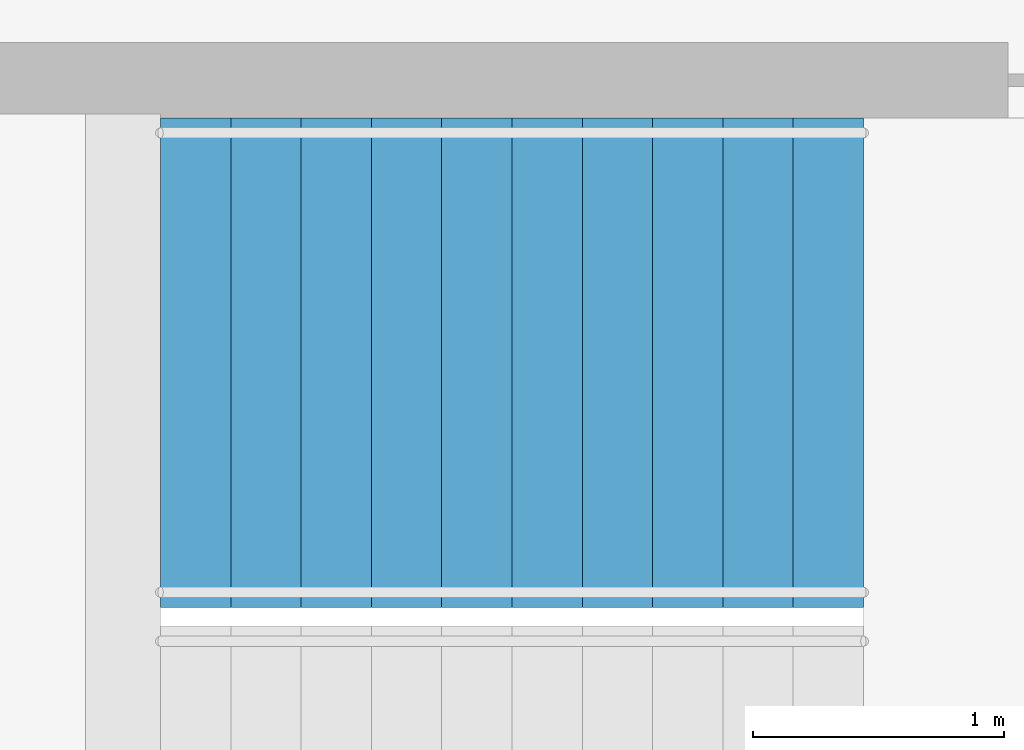
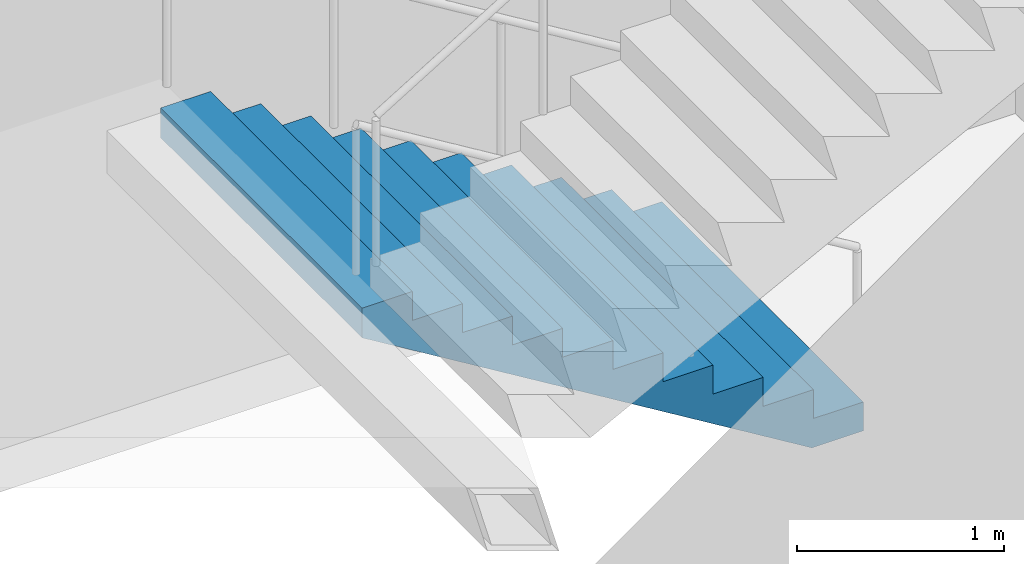
# One storey, part 20 of 21: 1 stair flight, 1 element without a shape of its own.
"""IFC4 building model written with IfcOpenShell, lengths in metres."""

from ifc_helpers import new_model, si_unit, direction, frame, origin, place, context, subcontext, project, spatial, triangles, material, type_object, element, aggregate, save


model = new_model("IFC4")

# Units and contexts
model_context = context("Model", 3, precision=1e-05, world=origin(), true_north=direction((0.0, 1.0)))
body_context = subcontext(model_context, "Body", "Model", "MODEL_VIEW")
ifc_project = project(units=[si_unit("LENGTHUNIT", "METRE"), si_unit("AREAUNIT", "SQUARE_METRE"), si_unit("VOLUMEUNIT", "CUBIC_METRE"), si_unit("PLANEANGLEUNIT", "RADIAN"), si_unit("MASSUNIT", "GRAM", prefix="KILO")], contexts=[model_context])

# Site, building, storey
site_placement = place(None, origin())
site = spatial("IfcSite", under=ifc_project, at=site_placement, CompositionType="ELEMENT")
building_placement = place(site_placement, origin())
building = spatial("IfcBuilding", under=site, at=building_placement, Name="Orbita Commons", CompositionType="ELEMENT")
storey_placement = place(building_placement, frame((0.0, 0.0, 110.64990234375)))
storey = spatial("IfcBuildingStorey", under=building, at=storey_placement, Name="L27", CompositionType="ELEMENT", Elevation=110.64990234375)

# Stair, stair flight
ifc_material_1 = material(Name="Precast concrete C40/50", Category="concrete")
stair_type = type_object("IfcStairType", Name="Exit stair S2 2 flights 11 risers 170", PredefinedType="HALF_TURN_STAIR", material=ifc_material_1)
stair_placement = place(storey_placement, origin())
stair = element("IfcStair", 1, at=stair_placement, inside=storey, type_object=stair_type, Name="Exit stair S2 L27", PredefinedType="HALF_TURN_STAIR")
ifc_material_2 = material(Name="Precast concrete C40/50", Category="concrete")
stair_flight_type = type_object("IfcStairFlightType", Name="Stair flight 11 risers 170 x 280", PredefinedType="STRAIGHT", material=ifc_material_2)
stair_flight_placement = place(storey_placement, frame((63.550048828125, 29.27490234375, 0.0), z_axis=(0.0, 0.0, 1.0), x_axis=(-1.0, 0.0, 0.0)))
stair_flight = element("IfcStairFlight", 2, at=stair_flight_placement, type_object=stair_flight_type, Name="S2 flight 1", NumberOfRisers=11, NumberOfTreads=10, PredefinedType="STRAIGHT", RiserHeight=0.170454545, TreadLength=0.28, context=body_context, shape_type="Tessellation", body=[
    triangles([(0.0, 0.974976, 0.0), (0.0, 0.974976, 0.021307), (0.0, 0.81248, 0.021307), (0.0, 0.81248, 0.0), (0.0, 0.649984, 0.021307), (0.0, 0.649984, 0.0), (0.0, 0.487488, 0.021307), (0.0, 0.487488, 0.0), (0.0, 0.324992, 0.021307), (0.0, 0.324992, 0.0), (0.0, 0.162496, 0.021307), (0.0, 0.162496, 0.0), (0.0, 0.0, 0.021307), (0.0, 0.0, 0.0), (0.0, -0.162496, 0.021307), (0.0, -0.162496, 0.0), (0.0, -0.324992, 0.021307), (0.0, -0.324992, 0.0), (0.0, -0.487488, 0.021307), (0.0, -0.487488, 0.0), (0.0, -0.649984, 0.021307), (0.0, -0.649984, 0.0), (0.0, -0.81248, 0.021307), (0.0, -0.81248, 0.0), (0.0, -0.974976, 0.021307), (0.0, -0.974976, 0.0), (0.0, 0.974976, 0.042614), (0.0, 0.81248, 0.042614), (0.0, 0.649984, 0.042614), (0.0, 0.487488, 0.042614), (0.0, 0.324992, 0.042614), (0.0, 0.162496, 0.042614), (0.0, 0.0, 0.042614), (0.0, -0.162496, 0.042614), (0.0, -0.324992, 0.042614), (0.0, -0.487488, 0.042614), (0.0, -0.649984, 0.042614), (0.0, -0.81248, 0.042614), (0.0, -0.974976, 0.042614), (0.0, 0.974976, 0.06392), (0.0, 0.81248, 0.06392), (0.0, 0.649984, 0.06392), (0.0, 0.487488, 0.06392), (0.0, 0.324992, 0.06392), (0.0, 0.162496, 0.06392), (0.0, 0.0, 0.06392), (0.0, -0.162496, 0.06392), (0.0, -0.324992, 0.06392), (0.0, -0.487488, 0.06392), (0.0, -0.649984, 0.06392), (0.0, -0.81248, 0.06392), (0.0, -0.974976, 0.06392), (0.0, 0.974976, 0.085227), (0.0, 0.81248, 0.085227), (0.0, 0.649984, 0.085227), (0.0, 0.487488, 0.085227), (0.0, 0.324992, 0.085227), (0.0, 0.162496, 0.085227), (0.0, 0.0, 0.085227), (0.0, -0.162496, 0.085227), (0.0, -0.324992, 0.085227), (0.0, -0.487488, 0.085227), (0.0, -0.649984, 0.085227), (0.0, -0.81248, 0.085227), (0.0, -0.974976, 0.085227), (0.0, 0.974976, 0.106534), (0.0, 0.81248, 0.106534), (0.0, 0.649984, 0.106534), (0.0, 0.487488, 0.106534), (0.0, 0.324992, 0.106534), (0.0, 0.162496, 0.106534), (0.0, 0.0, 0.106534), (0.0, -0.162496, 0.106534), (0.0, -0.324992, 0.106534), (0.0, -0.487488, 0.106534), (0.0, -0.649984, 0.106534), (0.0, -0.81248, 0.106534), (0.0, -0.974976, 0.106534), (0.0, 0.974976, 0.127841), (0.0, 0.81248, 0.127841), (0.0, 0.649984, 0.127841), (0.0, 0.487488, 0.127841), (0.0, 0.324992, 0.127841), (0.0, 0.162496, 0.127841), (0.0, 0.0, 0.127841), (0.0, -0.162496, 0.127841), (0.0, -0.324992, 0.127841), (0.0, -0.487488, 0.127841), (0.0, -0.649984, 0.127841), (0.0, -0.81248, 0.127841), (0.0, -0.974976, 0.127841), (0.0, 0.974976, 0.149148), (0.0, 0.81248, 0.149148), (0.0, 0.649984, 0.149148), (0.0, 0.487488, 0.149148), (0.0, 0.324992, 0.149148), (0.0, 0.162496, 0.149148), (0.0, 0.0, 0.149148), (0.0, -0.162496, 0.149148), (0.0, -0.324992, 0.149148), (0.0, -0.487488, 0.149148), (0.0, -0.649984, 0.149148), (0.0, -0.81248, 0.149148), (0.0, -0.974976, 0.149148), (0.0, 0.974976, 0.170455), (0.0, 0.81248, 0.170455), (0.0, 0.649984, 0.170455), (0.0, 0.487488, 0.170455), (0.0, 0.324992, 0.170455), (0.0, 0.162496, 0.170455), (0.0, 0.0, 0.170455), (0.0, -0.162496, 0.170455), (0.0, -0.324992, 0.170455), (0.0, -0.487488, 0.170455), (0.0, -0.649984, 0.170455), (0.0, -0.81248, 0.170455), (0.0, -0.974976, 0.170455), (0.28, 0.974976, 0.170455), (0.28, 0.81248, 0.170455), (0.28, 0.649984, 0.170455), (0.28, 0.487488, 0.170455), (0.28, 0.324992, 0.170455), (0.28, 0.162496, 0.170455), (0.28, 0.0, 0.170455), (0.28, -0.162496, 0.170455), (0.28, -0.324992, 0.170455), (0.28, -0.487488, 0.170455), (0.28, -0.649984, 0.170455), (0.28, -0.81248, 0.170455), (0.28, -0.974976, 0.170455), (0.28, 0.974976, 0.340909), (0.28, 0.81248, 0.340909), (0.28, 0.649984, 0.340909), (0.28, 0.487488, 0.340909), (0.28, 0.324992, 0.340909), (0.28, 0.162496, 0.340909), (0.28, 0.0, 0.340909), (0.28, -0.162496, 0.340909), (0.28, -0.324992, 0.340909), (0.28, -0.487488, 0.340909), (0.28, -0.649984, 0.340909), (0.28, -0.81248, 0.340909), (0.28, -0.974976, 0.340909), (0.56, 0.974976, 0.340909), (0.56, 0.81248, 0.340909), (0.56, 0.649984, 0.340909), (0.56, 0.487488, 0.340909), (0.56, 0.324992, 0.340909), (0.56, 0.162496, 0.340909), (0.56, 0.0, 0.340909), (0.56, -0.162496, 0.340909), (0.56, -0.324992, 0.340909), (0.56, -0.487488, 0.340909), (0.56, -0.649984, 0.340909), (0.56, -0.81248, 0.340909), (0.56, -0.974976, 0.340909), (0.56, 0.974976, 0.511364), (0.56, 0.81248, 0.511364), (0.56, 0.649984, 0.511364), (0.56, 0.487488, 0.511364), (0.56, 0.324992, 0.511364), (0.56, 0.162496, 0.511364), (0.56, 0.0, 0.511364), (0.56, -0.162496, 0.511364), (0.56, -0.324992, 0.511364), (0.56, -0.487488, 0.511364), (0.56, -0.649984, 0.511364), (0.56, -0.81248, 0.511364), (0.56, -0.974976, 0.511364), (0.84, 0.974976, 0.511364), (0.84, 0.81248, 0.511364), (0.84, 0.649984, 0.511364), (0.84, 0.487488, 0.511364), (0.84, 0.324992, 0.511364), (0.84, 0.162496, 0.511364), (0.84, 0.0, 0.511364), (0.84, -0.162496, 0.511364), (0.84, -0.324992, 0.511364), (0.84, -0.487488, 0.511364), (0.84, -0.649984, 0.511364), (0.84, -0.81248, 0.511364), (0.84, -0.974976, 0.511364), (0.84, 0.974976, 0.681818), (0.84, 0.81248, 0.681818), (0.84, 0.649984, 0.681818), (0.84, 0.487488, 0.681818), (0.84, 0.324992, 0.681818), (0.84, 0.162496, 0.681818), (0.84, 0.0, 0.681818), (0.84, -0.162496, 0.681818), (0.84, -0.324992, 0.681818), (0.84, -0.487488, 0.681818), (0.84, -0.649984, 0.681818), (0.84, -0.81248, 0.681818), (0.84, -0.974976, 0.681818), (1.12, 0.974976, 0.681818), (1.12, 0.81248, 0.681818), (1.12, 0.649984, 0.681818), (1.12, 0.487488, 0.681818), (1.12, 0.324992, 0.681818), (1.12, 0.162496, 0.681818), (1.12, 0.0, 0.681818), (1.12, -0.162496, 0.681818), (1.12, -0.324992, 0.681818), (1.12, -0.487488, 0.681818), (1.12, -0.649984, 0.681818), (1.12, -0.81248, 0.681818), (1.12, -0.974976, 0.681818), (1.12, 0.974976, 0.852273), (1.12, 0.81248, 0.852273), (1.12, 0.649984, 0.852273), (1.12, 0.487488, 0.852273), (1.12, 0.324992, 0.852273), (1.12, 0.162496, 0.852273), (1.12, 0.0, 0.852273), (1.12, -0.162496, 0.852273), (1.12, -0.324992, 0.852273), (1.12, -0.487488, 0.852273), (1.12, -0.649984, 0.852273), (1.12, -0.81248, 0.852273), (1.12, -0.974976, 0.852273), (1.4, 0.974976, 0.852273), (1.4, 0.81248, 0.852273), (1.4, 0.649984, 0.852273), (1.4, 0.487488, 0.852273), (1.4, 0.324992, 0.852273), (1.4, 0.162496, 0.852273), (1.4, 0.0, 0.852273), (1.4, -0.162496, 0.852273), (1.4, -0.324992, 0.852273), (1.4, -0.487488, 0.852273), (1.4, -0.649984, 0.852273), (1.4, -0.81248, 0.852273), (1.4, -0.974976, 0.852273), (1.4, 0.974976, 1.022727), (1.4, 0.81248, 1.022727), (1.4, 0.649984, 1.022727), (1.4, 0.487488, 1.022727), (1.4, 0.324992, 1.022727), (1.4, 0.162496, 1.022727), (1.4, 0.0, 1.022727), (1.4, -0.162496, 1.022727), (1.4, -0.324992, 1.022727), (1.4, -0.487488, 1.022727), (1.4, -0.649984, 1.022727), (1.4, -0.81248, 1.022727), (1.4, -0.974976, 1.022727), (1.68, 0.974976, 1.022727), (1.68, 0.81248, 1.022727), (1.68, 0.649984, 1.022727), (1.68, 0.487488, 1.022727), (1.68, 0.324992, 1.022727), (1.68, 0.162496, 1.022727), (1.68, 0.0, 1.022727), (1.68, -0.162496, 1.022727), (1.68, -0.324992, 1.022727), (1.68, -0.487488, 1.022727), (1.68, -0.649984, 1.022727), (1.68, -0.81248, 1.022727), (1.68, -0.974976, 1.022727), (1.68, 0.974976, 1.193182), (1.68, 0.81248, 1.193182), (1.68, 0.649984, 1.193182), (1.68, 0.487488, 1.193182), (1.68, 0.324992, 1.193182), (1.68, 0.162496, 1.193182), (1.68, 0.0, 1.193182), (1.68, -0.162496, 1.193182), (1.68, -0.324992, 1.193182), (1.68, -0.487488, 1.193182), (1.68, -0.649984, 1.193182), (1.68, -0.81248, 1.193182), (1.68, -0.974976, 1.193182), (1.96, 0.974976, 1.193182), (1.96, 0.81248, 1.193182), (1.96, 0.649984, 1.193182), (1.96, 0.487488, 1.193182), (1.96, 0.324992, 1.193182), (1.96, 0.162496, 1.193182), (1.96, 0.0, 1.193182), (1.96, -0.162496, 1.193182), (1.96, -0.324992, 1.193182), (1.96, -0.487488, 1.193182), (1.96, -0.649984, 1.193182), (1.96, -0.81248, 1.193182), (1.96, -0.974976, 1.193182), (1.96, 0.974976, 1.363636), (1.96, 0.81248, 1.363636), (1.96, 0.649984, 1.363636), (1.96, 0.487488, 1.363636), (1.96, 0.324992, 1.363636), (1.96, 0.162496, 1.363636), (1.96, 0.0, 1.363636), (1.96, -0.162496, 1.363636), (1.96, -0.324992, 1.363636), (1.96, -0.487488, 1.363636), (1.96, -0.649984, 1.363636), (1.96, -0.81248, 1.363636), (1.96, -0.974976, 1.363636), (2.24, 0.974976, 1.363636), (2.24, 0.81248, 1.363636), (2.24, 0.649984, 1.363636), (2.24, 0.487488, 1.363636), (2.24, 0.324992, 1.363636), (2.24, 0.162496, 1.363636), (2.24, 0.0, 1.363636), (2.24, -0.162496, 1.363636), (2.24, -0.324992, 1.363636), (2.24, -0.487488, 1.363636), (2.24, -0.649984, 1.363636), (2.24, -0.81248, 1.363636), (2.24, -0.974976, 1.363636), (2.24, 0.974976, 1.534091), (2.24, 0.81248, 1.534091), (2.24, 0.649984, 1.534091), (2.24, 0.487488, 1.534091), (2.24, 0.324992, 1.534091), (2.24, 0.162496, 1.534091), (2.24, 0.0, 1.534091), (2.24, -0.162496, 1.534091), (2.24, -0.324992, 1.534091), (2.24, -0.487488, 1.534091), (2.24, -0.649984, 1.534091), (2.24, -0.81248, 1.534091), (2.24, -0.974976, 1.534091), (2.52, 0.974976, 1.534091), (2.52, 0.81248, 1.534091), (2.52, 0.649984, 1.534091), (2.52, 0.487488, 1.534091), (2.52, 0.324992, 1.534091), (2.52, 0.162496, 1.534091), (2.52, 0.0, 1.534091), (2.52, -0.162496, 1.534091), (2.52, -0.324992, 1.534091), (2.52, -0.487488, 1.534091), (2.52, -0.649984, 1.534091), (2.52, -0.81248, 1.534091), (2.52, -0.974976, 1.534091), (2.52, 0.974976, 1.704545), (2.52, 0.81248, 1.704545), (2.52, 0.649984, 1.704545), (2.52, 0.487488, 1.704545), (2.52, 0.324992, 1.704545), (2.52, 0.162496, 1.704545), (2.52, 0.0, 1.704545), (2.52, -0.162496, 1.704545), (2.52, -0.324992, 1.704545), (2.52, -0.487488, 1.704545), (2.52, -0.649984, 1.704545), (2.52, -0.81248, 1.704545), (2.52, -0.974976, 1.704545), (2.8, 0.974976, 1.704545), (2.8, 0.81248, 1.704545), (2.8, 0.649984, 1.704545), (2.8, 0.487488, 1.704545), (2.8, 0.324992, 1.704545), (2.8, 0.162496, 1.704545), (2.8, 0.0, 1.704545), (2.8, -0.162496, 1.704545), (2.8, -0.324992, 1.704545), (2.8, -0.487488, 1.704545), (2.8, -0.649984, 1.704545), (2.8, -0.81248, 1.704545), (2.8, -0.974976, 1.704545), (2.8, 0.974976, 1.682609), (2.8, 0.81248, 1.682609), (2.8, 0.649984, 1.682609), (2.8, 0.487488, 1.682609), (2.8, 0.324992, 1.682609), (2.8, 0.162496, 1.682609), (2.8, 0.0, 1.682609), (2.8, -0.162496, 1.682609), (2.8, -0.324992, 1.682609), (2.8, -0.487488, 1.682609), (2.8, -0.649984, 1.682609), (2.8, -0.81248, 1.682609), (2.8, -0.974976, 1.682609), (2.8, 0.974976, 1.660672), (2.8, 0.81248, 1.660672), (2.8, 0.649984, 1.660672), (2.8, 0.487488, 1.660672), (2.8, 0.324992, 1.660672), (2.8, 0.162496, 1.660672), (2.8, 0.0, 1.660672), (2.8, -0.162496, 1.660672), (2.8, -0.324992, 1.660672), (2.8, -0.487488, 1.660672), (2.8, -0.649984, 1.660672), (2.8, -0.81248, 1.660672), (2.8, -0.974976, 1.660672), (2.8, 0.974976, 1.638735), (2.8, 0.81248, 1.638735), (2.8, 0.649984, 1.638735), (2.8, 0.487488, 1.638735), (2.8, 0.324992, 1.638735), (2.8, 0.162496, 1.638735), (2.8, 0.0, 1.638735), (2.8, -0.162496, 1.638735), (2.8, -0.324992, 1.638735), (2.8, -0.487488, 1.638735), (2.8, -0.649984, 1.638735), (2.8, -0.81248, 1.638735), (2.8, -0.974976, 1.638735), (2.8, 0.974976, 1.616798), (2.8, 0.81248, 1.616798), (2.8, 0.649984, 1.616798), (2.8, 0.487488, 1.616798), (2.8, 0.324992, 1.616798), (2.8, 0.162496, 1.616798), (2.8, 0.0, 1.616798), (2.8, -0.162496, 1.616798), (2.8, -0.324992, 1.616798), (2.8, -0.487488, 1.616798), (2.8, -0.649984, 1.616798), (2.8, -0.81248, 1.616798), (2.8, -0.974976, 1.616798), (2.8, 0.974976, 1.594861), (2.8, 0.81248, 1.594861), (2.8, 0.649984, 1.594861), (2.8, 0.487488, 1.594861), (2.8, 0.324992, 1.594861), (2.8, 0.162496, 1.594861), (2.8, 0.0, 1.594861), (2.8, -0.162496, 1.594861), (2.8, -0.324992, 1.594861), (2.8, -0.487488, 1.594861), (2.8, -0.649984, 1.594861), (2.8, -0.81248, 1.594861), (2.8, -0.974976, 1.594861), (2.8, 0.974976, 1.572925), (2.8, 0.81248, 1.572925), (2.8, 0.649984, 1.572925), (2.8, 0.487488, 1.572925), (2.8, 0.324992, 1.572925), (2.8, 0.162496, 1.572925), (2.8, 0.0, 1.572925), (2.8, -0.162496, 1.572925), (2.8, -0.324992, 1.572925), (2.8, -0.487488, 1.572925), (2.8, -0.649984, 1.572925), (2.8, -0.81248, 1.572925), (2.8, -0.974976, 1.572925), (2.8, 0.974976, 1.550988), (2.8, 0.81248, 1.550988), (2.8, 0.649984, 1.550988), (2.8, 0.487488, 1.550988), (2.8, 0.324992, 1.550988), (2.8, 0.162496, 1.550988), (2.8, 0.0, 1.550988), (2.8, -0.162496, 1.550988), (2.8, -0.324992, 1.550988), (2.8, -0.487488, 1.550988), (2.8, -0.649984, 1.550988), (2.8, -0.81248, 1.550988), (2.8, -0.974976, 1.550988), (2.8, 0.974976, 1.529051), (2.8, 0.81248, 1.529051), (2.8, 0.649984, 1.529051), (2.8, 0.487488, 1.529051), (2.8, 0.324992, 1.529051), (2.8, 0.162496, 1.529051), (2.8, 0.0, 1.529051), (2.8, -0.162496, 1.529051), (2.8, -0.324992, 1.529051), (2.8, -0.487488, 1.529051), (2.8, -0.649984, 1.529051), (2.8, -0.81248, 1.529051), (2.8, -0.974976, 1.529051), (0.288279, 0.974976, 0.0), (0.288279, 0.81248, 0.0), (0.288279, 0.649984, 0.0), (0.288279, 0.487488, 0.0), (0.288279, 0.324992, 0.0), (0.288279, 0.162496, 0.0), (0.288279, 0.0, 0.0), (0.288279, -0.162496, 0.0), (0.288279, -0.324992, 0.0), (0.288279, -0.487488, 0.0), (0.288279, -0.649984, 0.0), (0.288279, -0.81248, 0.0), (0.288279, -0.974976, 0.0)], [[3, 2, 1], [4, 3, 1], [5, 3, 4], [6, 5, 4], [7, 5, 6], [8, 7, 6], [9, 7, 8], [10, 9, 8], [11, 9, 10], [12, 11, 10], [13, 11, 12], [14, 13, 12], [15, 13, 14], [16, 15, 14], [17, 15, 16], [18, 17, 16], [19, 17, 18], [20, 19, 18], [21, 19, 20], [22, 21, 20], [23, 21, 22], [24, 23, 22], [25, 23, 24], [26, 25, 24], [28, 27, 2], [3, 28, 2], [29, 28, 3], [5, 29, 3], [30, 29, 5], [7, 30, 5], [31, 30, 7], [9, 31, 7], [32, 31, 9], [11, 32, 9], [33, 32, 11], [13, 33, 11], [34, 33, 13], [15, 34, 13], [35, 34, 15], [17, 35, 15], [36, 35, 17], [19, 36, 17], [37, 36, 19], [21, 37, 19], [38, 37, 21], [23, 38, 21], [39, 38, 23], [25, 39, 23], [41, 40, 27], [28, 41, 27], [42, 41, 28], [29, 42, 28], [43, 42, 29], [30, 43, 29], [44, 43, 30], [31, 44, 30], [45, 44, 31], [32, 45, 31], [46, 45, 32], [33, 46, 32], [47, 46, 33], [34, 47, 33], [48, 47, 34], [35, 48, 34], [49, 48, 35], [36, 49, 35], [50, 49, 36], [37, 50, 36], [51, 50, 37], [38, 51, 37], [52, 51, 38], [39, 52, 38], [54, 53, 40], [41, 54, 40], [55, 54, 41], [42, 55, 41], [56, 55, 42], [43, 56, 42], [57, 56, 43], [44, 57, 43], [58, 57, 44], [45, 58, 44], [59, 58, 45], [46, 59, 45], [60, 59, 46], [47, 60, 46], [61, 60, 47], [48, 61, 47], [62, 61, 48], [49, 62, 48], [63, 62, 49], [50, 63, 49], [64, 63, 50], [51, 64, 50], [65, 64, 51], [52, 65, 51], [67, 66, 53], [54, 67, 53], [68, 67, 54], [55, 68, 54], [69, 68, 55], [56, 69, 55], [70, 69, 56], [57, 70, 56], [71, 70, 57], [58, 71, 57], [72, 71, 58], [59, 72, 58], [73, 72, 59], [60, 73, 59], [74, 73, 60], [61, 74, 60], [75, 74, 61], [62, 75, 61], [76, 75, 62], [63, 76, 62], [77, 76, 63], [64, 77, 63], [78, 77, 64], [65, 78, 64], [80, 79, 66], [67, 80, 66], [81, 80, 67], [68, 81, 67], [82, 81, 68], [69, 82, 68], [83, 82, 69], [70, 83, 69], [84, 83, 70], [71, 84, 70], [85, 84, 71], [72, 85, 71], [86, 85, 72], [73, 86, 72], [87, 86, 73], [74, 87, 73], [88, 87, 74], [75, 88, 74], [89, 88, 75], [76, 89, 75], [90, 89, 76], [77, 90, 76], [91, 90, 77], [78, 91, 77], [93, 92, 79], [80, 93, 79], [94, 93, 80], [81, 94, 80], [95, 94, 81], [82, 95, 81], [96, 95, 82], [83, 96, 82], [97, 96, 83], [84, 97, 83], [98, 97, 84], [85, 98, 84], [99, 98, 85], [86, 99, 85], [100, 99, 86], [87, 100, 86], [101, 100, 87], [88, 101, 87], [102, 101, 88], [89, 102, 88], [103, 102, 89], [90, 103, 89], [104, 103, 90], [91, 104, 90], [106, 105, 92], [93, 106, 92], [107, 106, 93], [94, 107, 93], [108, 107, 94], [95, 108, 94], [109, 108, 95], [96, 109, 95], [110, 109, 96], [97, 110, 96], [111, 110, 97], [98, 111, 97], [112, 111, 98], [99, 112, 98], [113, 112, 99], [100, 113, 99], [114, 113, 100], [101, 114, 100], [115, 114, 101], [102, 115, 101], [116, 115, 102], [103, 116, 102], [117, 116, 103], [104, 117, 103], [119, 118, 105], [106, 119, 105], [120, 119, 106], [107, 120, 106], [121, 120, 107], [108, 121, 107], [122, 121, 108], [109, 122, 108], [123, 122, 109], [110, 123, 109], [124, 123, 110], [111, 124, 110], [125, 124, 111], [112, 125, 111], [126, 125, 112], [113, 126, 112], [127, 126, 113], [114, 127, 113], [128, 127, 114], [115, 128, 114], [129, 128, 115], [116, 129, 115], [130, 129, 116], [117, 130, 116], [132, 131, 118], [119, 132, 118], [133, 132, 119], [120, 133, 119], [134, 133, 120], [121, 134, 120], [135, 134, 121], [122, 135, 121], [136, 135, 122], [123, 136, 122], [137, 136, 123], [124, 137, 123], [138, 137, 124], [125, 138, 124], [139, 138, 125], [126, 139, 125], [140, 139, 126], [127, 140, 126], [141, 140, 127], [128, 141, 127], [142, 141, 128], [129, 142, 128], [143, 142, 129], [130, 143, 129], [145, 144, 131], [132, 145, 131], [146, 145, 132], [133, 146, 132], [147, 146, 133], [134, 147, 133], [148, 147, 134], [135, 148, 134], [149, 148, 135], [136, 149, 135], [150, 149, 136], [137, 150, 136], [151, 150, 137], [138, 151, 137], [152, 151, 138], [139, 152, 138], [153, 152, 139], [140, 153, 139], [154, 153, 140], [141, 154, 140], [155, 154, 141], [142, 155, 141], [156, 155, 142], [143, 156, 142], [158, 157, 144], [145, 158, 144], [159, 158, 145], [146, 159, 145], [160, 159, 146], [147, 160, 146], [161, 160, 147], [148, 161, 147], [162, 161, 148], [149, 162, 148], [163, 162, 149], [150, 163, 149], [164, 163, 150], [151, 164, 150], [165, 164, 151], [152, 165, 151], [166, 165, 152], [153, 166, 152], [167, 166, 153], [154, 167, 153], [168, 167, 154], [155, 168, 154], [169, 168, 155], [156, 169, 155], [171, 170, 157], [158, 171, 157], [172, 171, 158], [159, 172, 158], [173, 172, 159], [160, 173, 159], [174, 173, 160], [161, 174, 160], [175, 174, 161], [162, 175, 161], [176, 175, 162], [163, 176, 162], [177, 176, 163], [164, 177, 163], [178, 177, 164], [165, 178, 164], [179, 178, 165], [166, 179, 165], [180, 179, 166], [167, 180, 166], [181, 180, 167], [168, 181, 167], [182, 181, 168], [169, 182, 168], [184, 183, 170], [171, 184, 170], [185, 184, 171], [172, 185, 171], [186, 185, 172], [173, 186, 172], [187, 186, 173], [174, 187, 173], [188, 187, 174], [175, 188, 174], [189, 188, 175], [176, 189, 175], [190, 189, 176], [177, 190, 176], [191, 190, 177], [178, 191, 177], [192, 191, 178], [179, 192, 178], [193, 192, 179], [180, 193, 179], [194, 193, 180], [181, 194, 180], [195, 194, 181], [182, 195, 181], [197, 196, 183], [184, 197, 183], [198, 197, 184], [185, 198, 184], [199, 198, 185], [186, 199, 185], [200, 199, 186], [187, 200, 186], [201, 200, 187], [188, 201, 187], [202, 201, 188], [189, 202, 188], [203, 202, 189], [190, 203, 189], [204, 203, 190], [191, 204, 190], [205, 204, 191], [192, 205, 191], [206, 205, 192], [193, 206, 192], [207, 206, 193], [194, 207, 193], [208, 207, 194], [195, 208, 194], [210, 209, 196], [197, 210, 196], [211, 210, 197], [198, 211, 197], [212, 211, 198], [199, 212, 198], [213, 212, 199], [200, 213, 199], [214, 213, 200], [201, 214, 200], [215, 214, 201], [202, 215, 201], [216, 215, 202], [203, 216, 202], [217, 216, 203], [204, 217, 203], [218, 217, 204], [205, 218, 204], [219, 218, 205], [206, 219, 205], [220, 219, 206], [207, 220, 206], [221, 220, 207], [208, 221, 207], [223, 222, 209], [210, 223, 209], [224, 223, 210], [211, 224, 210], [225, 224, 211], [212, 225, 211], [226, 225, 212], [213, 226, 212], [227, 226, 213], [214, 227, 213], [228, 227, 214], [215, 228, 214], [229, 228, 215], [216, 229, 215], [230, 229, 216], [217, 230, 216], [231, 230, 217], [218, 231, 217], [232, 231, 218], [219, 232, 218], [233, 232, 219], [220, 233, 219], [234, 233, 220], [221, 234, 220], [236, 235, 222], [223, 236, 222], [237, 236, 223], [224, 237, 223], [238, 237, 224], [225, 238, 224], [239, 238, 225], [226, 239, 225], [240, 239, 226], [227, 240, 226], [241, 240, 227], [228, 241, 227], [242, 241, 228], [229, 242, 228], [243, 242, 229], [230, 243, 229], [244, 243, 230], [231, 244, 230], [245, 244, 231], [232, 245, 231], [246, 245, 232], [233, 246, 232], [247, 246, 233], [234, 247, 233], [249, 248, 235], [236, 249, 235], [250, 249, 236], [237, 250, 236], [251, 250, 237], [238, 251, 237], [252, 251, 238], [239, 252, 238], [253, 252, 239], [240, 253, 239], [254, 253, 240], [241, 254, 240], [255, 254, 241], [242, 255, 241], [256, 255, 242], [243, 256, 242], [257, 256, 243], [244, 257, 243], [258, 257, 244], [245, 258, 244], [259, 258, 245], [246, 259, 245], [260, 259, 246], [247, 260, 246], [262, 261, 248], [249, 262, 248], [263, 262, 249], [250, 263, 249], [264, 263, 250], [251, 264, 250], [265, 264, 251], [252, 265, 251], [266, 265, 252], [253, 266, 252], [267, 266, 253], [254, 267, 253], [268, 267, 254], [255, 268, 254], [269, 268, 255], [256, 269, 255], [270, 269, 256], [257, 270, 256], [271, 270, 257], [258, 271, 257], [272, 271, 258], [259, 272, 258], [273, 272, 259], [260, 273, 259], [275, 274, 261], [262, 275, 261], [276, 275, 262], [263, 276, 262], [277, 276, 263], [264, 277, 263], [278, 277, 264], [265, 278, 264], [279, 278, 265], [266, 279, 265], [280, 279, 266], [267, 280, 266], [281, 280, 267], [268, 281, 267], [282, 281, 268], [269, 282, 268], [283, 282, 269], [270, 283, 269], [284, 283, 270], [271, 284, 270], [285, 284, 271], [272, 285, 271], [286, 285, 272], [273, 286, 272], [288, 287, 274], [275, 288, 274], [289, 288, 275], [276, 289, 275], [290, 289, 276], [277, 290, 276], [291, 290, 277], [278, 291, 277], [292, 291, 278], [279, 292, 278], [293, 292, 279], [280, 293, 279], [294, 293, 280], [281, 294, 280], [295, 294, 281], [282, 295, 281], [296, 295, 282], [283, 296, 282], [297, 296, 283], [284, 297, 283], [298, 297, 284], [285, 298, 284], [299, 298, 285], [286, 299, 285], [301, 300, 287], [288, 301, 287], [302, 301, 288], [289, 302, 288], [303, 302, 289], [290, 303, 289], [304, 303, 290], [291, 304, 290], [305, 304, 291], [292, 305, 291], [306, 305, 292], [293, 306, 292], [307, 306, 293], [294, 307, 293], [308, 307, 294], [295, 308, 294], [309, 308, 295], [296, 309, 295], [310, 309, 296], [297, 310, 296], [311, 310, 297], [298, 311, 297], [312, 311, 298], [299, 312, 298], [314, 313, 300], [301, 314, 300], [315, 314, 301], [302, 315, 301], [316, 315, 302], [303, 316, 302], [317, 316, 303], [304, 317, 303], [318, 317, 304], [305, 318, 304], [319, 318, 305], [306, 319, 305], [320, 319, 306], [307, 320, 306], [321, 320, 307], [308, 321, 307], [322, 321, 308], [309, 322, 308], [323, 322, 309], [310, 323, 309], [324, 323, 310], [311, 324, 310], [325, 324, 311], [312, 325, 311], [327, 326, 313], [314, 327, 313], [328, 327, 314], [315, 328, 314], [329, 328, 315], [316, 329, 315], [330, 329, 316], [317, 330, 316], [331, 330, 317], [318, 331, 317], [332, 331, 318], [319, 332, 318], [333, 332, 319], [320, 333, 319], [334, 333, 320], [321, 334, 320], [335, 334, 321], [322, 335, 321], [336, 335, 322], [323, 336, 322], [337, 336, 323], [324, 337, 323], [338, 337, 324], [325, 338, 324], [340, 339, 326], [327, 340, 326], [341, 340, 327], [328, 341, 327], [342, 341, 328], [329, 342, 328], [343, 342, 329], [330, 343, 329], [344, 343, 330], [331, 344, 330], [345, 344, 331], [332, 345, 331], [346, 345, 332], [333, 346, 332], [347, 346, 333], [334, 347, 333], [348, 347, 334], [335, 348, 334], [349, 348, 335], [336, 349, 335], [350, 349, 336], [337, 350, 336], [351, 350, 337], [338, 351, 337], [353, 352, 339], [340, 353, 339], [354, 353, 340], [341, 354, 340], [355, 354, 341], [342, 355, 341], [356, 355, 342], [343, 356, 342], [357, 356, 343], [344, 357, 343], [358, 357, 344], [345, 358, 344], [359, 358, 345], [346, 359, 345], [360, 359, 346], [347, 360, 346], [361, 360, 347], [348, 361, 347], [362, 361, 348], [349, 362, 348], [363, 362, 349], [350, 363, 349], [364, 363, 350], [351, 364, 350], [366, 365, 352], [353, 366, 352], [367, 366, 353], [354, 367, 353], [368, 367, 354], [355, 368, 354], [369, 368, 355], [356, 369, 355], [370, 369, 356], [357, 370, 356], [371, 370, 357], [358, 371, 357], [372, 371, 358], [359, 372, 358], [373, 372, 359], [360, 373, 359], [374, 373, 360], [361, 374, 360], [375, 374, 361], [362, 375, 361], [376, 375, 362], [363, 376, 362], [377, 376, 363], [364, 377, 363], [379, 378, 365], [366, 379, 365], [380, 379, 366], [367, 380, 366], [381, 380, 367], [368, 381, 367], [382, 381, 368], [369, 382, 368], [383, 382, 369], [370, 383, 369], [384, 383, 370], [371, 384, 370], [385, 384, 371], [372, 385, 371], [386, 385, 372], [373, 386, 372], [387, 386, 373], [374, 387, 373], [388, 387, 374], [375, 388, 374], [389, 388, 375], [376, 389, 375], [390, 389, 376], [377, 390, 376], [392, 391, 378], [379, 392, 378], [393, 392, 379], [380, 393, 379], [394, 393, 380], [381, 394, 380], [395, 394, 381], [382, 395, 381], [396, 395, 382], [383, 396, 382], [397, 396, 383], [384, 397, 383], [398, 397, 384], [385, 398, 384], [399, 398, 385], [386, 399, 385], [400, 399, 386], [387, 400, 386], [401, 400, 387], [388, 401, 387], [402, 401, 388], [389, 402, 388], [403, 402, 389], [390, 403, 389], [405, 404, 391], [392, 405, 391], [406, 405, 392], [393, 406, 392], [407, 406, 393], [394, 407, 393], [408, 407, 394], [395, 408, 394], [409, 408, 395], [396, 409, 395], [410, 409, 396], [397, 410, 396], [411, 410, 397], [398, 411, 397], [412, 411, 398], [399, 412, 398], [413, 412, 399], [400, 413, 399], [414, 413, 400], [401, 414, 400], [415, 414, 401], [402, 415, 401], [416, 415, 402], [403, 416, 402], [418, 417, 404], [405, 418, 404], [419, 418, 405], [406, 419, 405], [420, 419, 406], [407, 420, 406], [421, 420, 407], [408, 421, 407], [422, 421, 408], [409, 422, 408], [423, 422, 409], [410, 423, 409], [424, 423, 410], [411, 424, 410], [425, 424, 411], [412, 425, 411], [426, 425, 412], [413, 426, 412], [427, 426, 413], [414, 427, 413], [428, 427, 414], [415, 428, 414], [429, 428, 415], [416, 429, 415], [431, 430, 417], [418, 431, 417], [432, 431, 418], [419, 432, 418], [433, 432, 419], [420, 433, 419], [434, 433, 420], [421, 434, 420], [435, 434, 421], [422, 435, 421], [436, 435, 422], [423, 436, 422], [437, 436, 423], [424, 437, 423], [438, 437, 424], [425, 438, 424], [439, 438, 425], [426, 439, 425], [440, 439, 426], [427, 440, 426], [441, 440, 427], [428, 441, 427], [442, 441, 428], [429, 442, 428], [444, 443, 430], [431, 444, 430], [445, 444, 431], [432, 445, 431], [446, 445, 432], [433, 446, 432], [447, 446, 433], [434, 447, 433], [448, 447, 434], [435, 448, 434], [449, 448, 435], [436, 449, 435], [450, 449, 436], [437, 450, 436], [451, 450, 437], [438, 451, 437], [452, 451, 438], [439, 452, 438], [453, 452, 439], [440, 453, 439], [454, 453, 440], [441, 454, 440], [455, 454, 441], [442, 455, 441], [457, 456, 443], [444, 457, 443], [458, 457, 444], [445, 458, 444], [459, 458, 445], [446, 459, 445], [460, 459, 446], [447, 460, 446], [461, 460, 447], [448, 461, 447], [462, 461, 448], [449, 462, 448], [463, 462, 449], [450, 463, 449], [464, 463, 450], [451, 464, 450], [465, 464, 451], [452, 465, 451], [466, 465, 452], [453, 466, 452], [467, 466, 453], [454, 467, 453], [468, 467, 454], [455, 468, 454], [470, 469, 456], [457, 470, 456], [471, 470, 457], [458, 471, 457], [472, 471, 458], [459, 472, 458], [473, 472, 459], [460, 473, 459], [474, 473, 460], [461, 474, 460], [475, 474, 461], [462, 475, 461], [476, 475, 462], [463, 476, 462], [477, 476, 463], [464, 477, 463], [478, 477, 464], [465, 478, 464], [479, 478, 465], [466, 479, 465], [480, 479, 466], [467, 480, 466], [481, 480, 467], [468, 481, 467], [4, 1, 469], [470, 4, 469], [6, 4, 470], [471, 6, 470], [8, 6, 471], [472, 8, 471], [10, 8, 472], [473, 10, 472], [12, 10, 473], [474, 12, 473], [14, 12, 474], [475, 14, 474], [16, 14, 475], [476, 16, 475], [18, 16, 476], [477, 18, 476], [20, 18, 477], [478, 20, 477], [22, 20, 478], [479, 22, 478], [24, 22, 479], [480, 24, 479], [26, 24, 480], [481, 26, 480], [456, 469, 1], [26, 481, 468], [443, 456, 1], [26, 468, 455], [430, 443, 1], [26, 455, 442], [417, 430, 1], [26, 442, 429], [404, 417, 1], [26, 429, 416], [391, 404, 1], [26, 416, 403], [378, 391, 1], [26, 403, 390], [365, 378, 1], [26, 390, 377], [339, 352, 365], [377, 364, 351], [326, 339, 365], [377, 351, 338], [300, 313, 326], [338, 325, 312], [300, 326, 365], [377, 338, 312], [274, 287, 300], [312, 299, 286], [274, 300, 365], [377, 312, 286], [248, 261, 274], [286, 273, 260], [248, 274, 365], [377, 286, 260], [222, 235, 248], [260, 247, 234], [222, 248, 365], [377, 260, 234], [196, 209, 222], [234, 221, 208], [196, 222, 365], [377, 234, 208], [170, 183, 196], [208, 195, 182], [170, 196, 365], [377, 208, 182], [144, 157, 170], [182, 169, 156], [144, 170, 365], [377, 182, 156], [118, 131, 144], [156, 143, 130], [118, 144, 365], [377, 156, 130], [118, 365, 1], [26, 377, 130], [92, 105, 118], [130, 117, 104], [79, 92, 118], [130, 104, 91], [66, 79, 118], [130, 91, 78], [53, 66, 118], [130, 78, 65], [40, 53, 118], [130, 65, 52], [27, 40, 118], [130, 52, 39], [2, 27, 118], [130, 39, 25], [1, 2, 118], [130, 25, 26]], closed=True),
])
aggregate(stair, [stair_flight])

save(model, "model.ifc")
